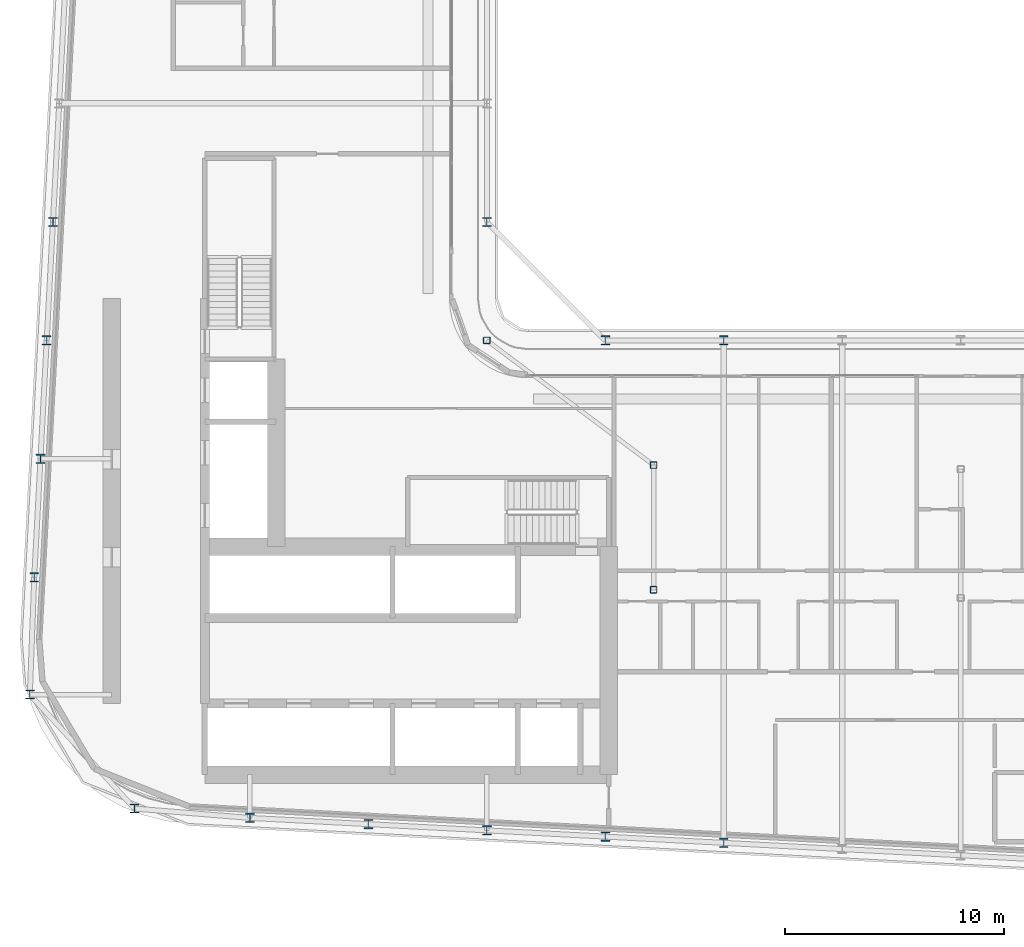
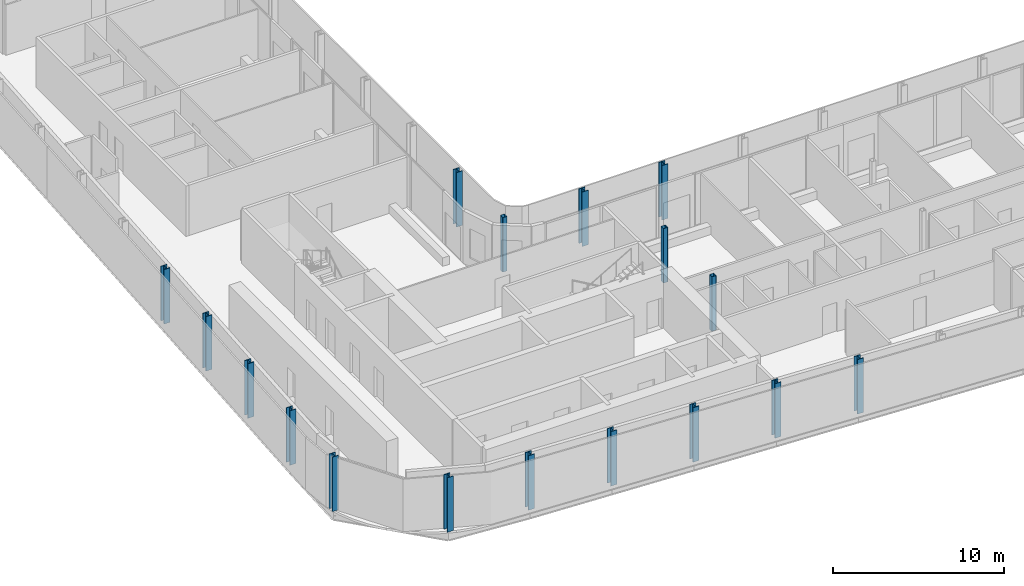
# One storey, part 1 of 29: 17 columns.
"""IFC4 building model written with IfcOpenShell, lengths in metres."""

from ifc_helpers import new_model, si_unit, direction, frame, origin, origin_2d, place, context, subcontext, project, spatial, hollow_rectangle, i_section, extrude, material, material_profile, profile_set, type_object, element, save


model = new_model("IFC4")

# Units and contexts
model_context = context("Model", 3, precision=1e-05, world=origin(), true_north=direction((0.0, 1.0)))
body_context = subcontext(model_context, "Body", "Model", "MODEL_VIEW")
ifc_project = project(units=[si_unit("LENGTHUNIT", "METRE"), si_unit("AREAUNIT", "SQUARE_METRE"), si_unit("VOLUMEUNIT", "CUBIC_METRE"), si_unit("PLANEANGLEUNIT", "RADIAN"), si_unit("MASSUNIT", "GRAM", prefix="KILO")], contexts=[model_context])

# Site, building, storey
site_placement = place(None, origin())
site = spatial("IfcSite", under=ifc_project, at=site_placement, CompositionType="ELEMENT")
building_placement = place(site_placement, origin())
building = spatial("IfcBuilding", under=site, at=building_placement, Name="Kheshtan School and Residences Tower", CompositionType="ELEMENT")
storey_placement = place(building_placement, frame((0.0, 0.0, 179.89990234375)))
storey = spatial("IfcBuildingStorey", under=building, at=storey_placement, Name="L42", CompositionType="ELEMENT", Elevation=179.89990234375)

# Columns
ifc_material_1 = material(Name="Steel ASTM A992 Grade 50", Category="steel")
ifc_material_profile_1 = material_profile(ifc_material_1, i_section(OverallWidth=0.408935546875, OverallDepth=0.425048828125, WebThickness=0.03271484375, FlangeThickness=0.052490234375, FilletRadius=0.0126953125, at=origin_2d()), Name="W360x421")
ifc_profile_set_1 = profile_set([ifc_material_profile_1], Name="Steel ASTM A992 Grade 50")
column_type_1 = type_object("IfcColumnType", Name="Column C3 W360x421 ASTM A992 Grade 50", PredefinedType="COLUMN", material=ifc_profile_set_1)
for number, where, z_axis, x_axis, name in (
    (1, (58.39990234375, 22.695068359375, 0.0), (0.0, 0.0, 1.0), (1.0, 0.0, 0.0), "Column C018"),
    (2, (53.0, 22.97998046875, 0.0), (0.0, 0.0, 1.0), (1.0, 0.0, 0.0), "Column C019"),
    (3, (47.60009765625, 23.263916015625, 0.0), (0.0, 0.0, 1.0), (1.0, 0.0, 0.0), "Column C020"),
    (4, (42.199951171875, 23.548095703125, 0.0), (0.0, 0.0, 1.0), (1.0, 0.0, 0.0), "Column C021"),
    (5, (36.800048828125, 23.83203125, 0.0), (0.0, 0.0, 1.0), (1.0, 0.0, 0.0), "Column C022"),
    (6, (31.5419921875, 24.257080078125, 0.0), (0.0, 0.0, 1.0), (1.0, 0.0, 0.0), "Column C025"),
    (7, (26.76904296875, 29.4541015625, 0.0), (0.0, 0.0, 1.0), (1.0, 0.0, 0.0), "Column C038"),
    (8, (26.968994140625, 34.800048828125, 0.0), (0.0, 0.0, 1.0), (1.0, 0.0, 0.0), "Column C052"),
    (9, (27.2529296875, 40.199951171875, 0.0), (0.0, 0.0, 1.0), (1.0, 0.0, 0.0), "Column C056"),
    (10, (27.537109375, 45.60009765625, 0.0), (0.0, 0.0, 1.0), (1.0, 0.0, 0.0), "Column C059"),
    (11, (53.0, 45.60009765625, 0.0), (0.0, 0.0, 1.0), (1.0, 0.0, 0.0), "Column C061"),
    (12, (58.39990234375, 45.60009765625, 0.0), (0.0, 0.0, 1.0), (1.0, 0.0, 0.0), "Column C062"),
    (13, (27.822021484375, 51.0, 0.0), (0.0, 0.0, 1.0), (1.0, 0.0, 0.0), "Column C078"),
    (14, (47.60009765625, 51.0, 0.0), (0.0, 0.0, 1.0), (1.0, 0.0, 0.0), "Column C079"),
):
    element("IfcColumn", number, at=place(storey_placement, frame(where, z_axis=z_axis, x_axis=x_axis)), inside=storey, type_object=column_type_1, Name=name, PredefinedType="COLUMN", context=body_context, shape_type="SweptSolid", body=[
        extrude(i_section(OverallWidth=0.408935546875, OverallDepth=0.425048828125, WebThickness=0.03271484375, FlangeThickness=0.052490234375, FilletRadius=0.0126953125, at=origin_2d()), origin(), (0.0, 0.0, 1.0), 3.900146484375),
    ])
ifc_material_2 = material(Name="Steel ASTM A500 Grade C", Category="steel")
ifc_material_profile_2 = material_profile(ifc_material_2, hollow_rectangle(XDim=0.304931640625, YDim=0.304931640625, WallThickness=0.015869140625, InnerFilletRadius=0.015869140625, OuterFilletRadius=0.03173828125, at=origin_2d()), Name="HSS 305x305x15.9")
ifc_profile_set_2 = profile_set([ifc_material_profile_2], Name="Steel ASTM A500 Grade C")
column_type_2 = type_object("IfcColumnType", Name="Column IC2 HSS 305x305x15.9 ASTM A500 Grade C", PredefinedType="COLUMN", material=ifc_profile_set_2)
for number, where, z_axis, x_axis, name in (
    (15, (55.199951171875, 34.23193359375, 0.0), (0.0, 0.0, 1.0), (1.0, 0.0, 0.0), "Column C051"),
    (16, (55.199951171875, 39.916015625, 0.0), (0.0, 0.0, 1.0), (1.0, 0.0, 0.0), "Column C055"),
    (17, (47.60009765625, 45.60009765625, 0.0), (0.0, 0.0, 1.0), (1.0, 0.0, 0.0), "Column C060"),
):
    element("IfcColumn", number, at=place(storey_placement, frame(where, z_axis=z_axis, x_axis=x_axis)), inside=storey, type_object=column_type_2, Name=name, PredefinedType="COLUMN", context=body_context, shape_type="SweptSolid", body=[
        extrude(hollow_rectangle(XDim=0.304931640625, YDim=0.304931640625, WallThickness=0.015869140625, InnerFilletRadius=0.015869140625, OuterFilletRadius=0.03173828125, at=origin_2d()), origin(), (0.0, 0.0, 1.0), 3.900146484375),
    ])

save(model, "model.ifc")
